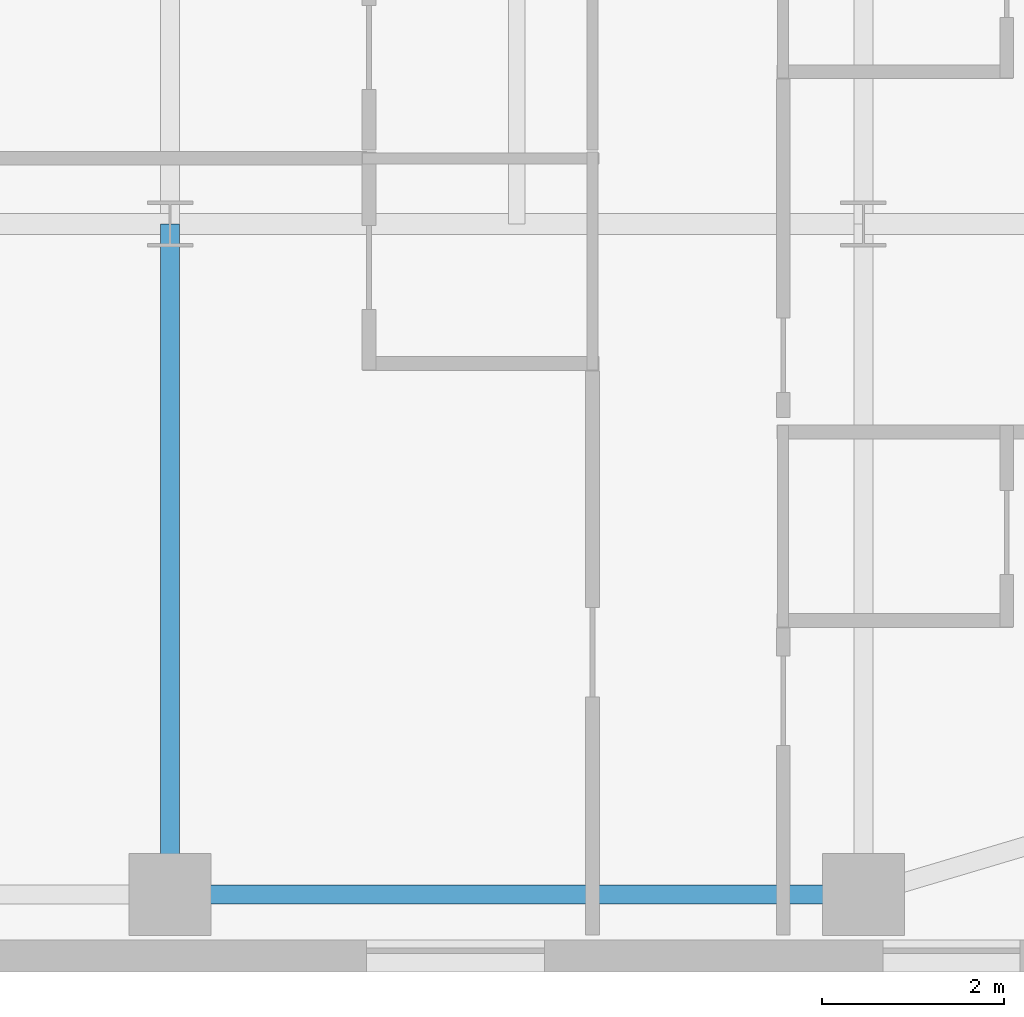
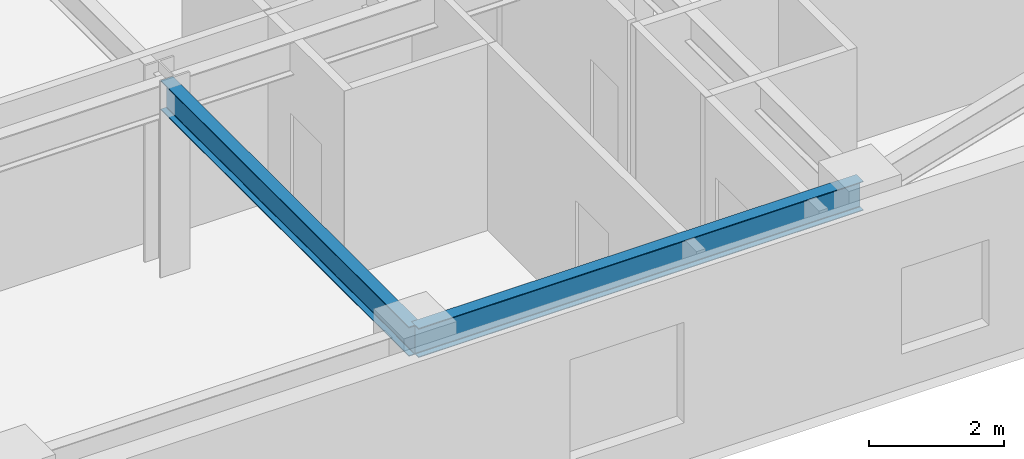
# One storey, part 14 of 30: 2 beams.
"""IFC4 building model written with IfcOpenShell, lengths in metres."""

from ifc_helpers import new_model, si_unit, direction, frame, origin, origin_2d, place, context, subcontext, project, spatial, i_section, extrude, source, transform, mapped, material, material_profile, profile_set, type_object, type_shapes, element, save


model = new_model("IFC4")

# Units and contexts
model_context = context("Model", 3, precision=1e-05, world=origin(), true_north=direction((0.0, 1.0)))
body_context = subcontext(model_context, "Body", "Model", "MODEL_VIEW")
ifc_project = project(units=[si_unit("LENGTHUNIT", "METRE"), si_unit("AREAUNIT", "SQUARE_METRE"), si_unit("VOLUMEUNIT", "CUBIC_METRE"), si_unit("PLANEANGLEUNIT", "RADIAN"), si_unit("MASSUNIT", "GRAM", prefix="KILO")], contexts=[model_context])

# Site, building, storey
site_placement = place(None, origin())
site = spatial("IfcSite", under=ifc_project, at=site_placement, CompositionType="ELEMENT")
building_placement = place(site_placement, origin())
building = spatial("IfcBuilding", under=site, at=building_placement, Name="Tolvann Quenvar Hotel", CompositionType="ELEMENT")
storey_placement = place(building_placement, frame((0.0, 0.0, 100.89990234375)))
storey = spatial("IfcBuildingStorey", under=building, at=storey_placement, Name="L25", CompositionType="ELEMENT", Elevation=100.89990234375)

# Beams
ifc_material = material(Name="Steel Grade 350", Category="steel")
ifc_material_profile_1 = material_profile(ifc_material, i_section(OverallWidth=0.208984375, OverallDepth=0.528076171875, WebThickness=0.009521484375, FlangeThickness=0.01318359375, FilletRadius=0.013916015625, at=origin_2d()), Name="530UB82")
ifc_profile_set_1 = profile_set([ifc_material_profile_1], Name="Steel Grade 350")
beam_type_1 = type_object("IfcBeamType", Name="BM_SPAND_530UB82", PredefinedType="SPANDREL", material=ifc_profile_set_1)
shared_shape_1 = source(origin(), body_context, "Body", "SweptSolid", [
    extrude(i_section(OverallWidth=0.208984375, OverallDepth=0.528076171875, WebThickness=0.009521484375, FlangeThickness=0.01318359375, FilletRadius=0.013916015625, at=origin_2d()), origin(), (0.0, 0.0, 1.0), 7.599853515625),
])
type_shapes(beam_type_1, [shared_shape_1])
beam_1_placement = place(storey_placement, frame((41.800048828125, 0.85009765625, 3.106201171875), z_axis=(1.0, 0.0, 0.0), x_axis=(0.0, 1.0, 0.0)))
element("IfcBeam", 1, at=beam_1_placement, inside=storey, type_object=beam_type_1, Name="BM-L25-EW-2-H2-I2", PredefinedType="SPANDREL", context=body_context, shape_type="MappedRepresentation", body=[
    mapped(shared_shape_1, transform((0.0, 0.0, 0.0), x_axis=(1.0, 0.0, 0.0), y_axis=(0.0, 1.0, 0.0), z_axis=(0.0, 0.0, 1.0), scale=1.0)),
])
ifc_material_profile_2 = material_profile(ifc_material, i_section(OverallWidth=0.208984375, OverallDepth=0.532958984375, WebThickness=0.01025390625, FlangeThickness=0.015625, FilletRadius=0.013916015625, at=origin_2d()), Name="530UB92")
ifc_profile_set_2 = profile_set([ifc_material_profile_2], Name="Steel Grade 350")
beam_type_2 = type_object("IfcBeamType", Name="BM_GIRD_530UB92", PredefinedType="BEAM", material=ifc_profile_set_2)
shared_shape_2 = source(origin(), body_context, "Body", "SweptSolid", [
    extrude(i_section(OverallWidth=0.208984375, OverallDepth=0.532958984375, WebThickness=0.01025390625, FlangeThickness=0.015625, FilletRadius=0.013916015625, at=origin_2d()), origin(), (0.0, 0.0, 1.0), 7.349853515625),
])
type_shapes(beam_type_2, [shared_shape_2])
beam_2_placement = place(storey_placement, frame((41.800048828125, 0.85009765625, 3.103515625), z_axis=(0.0, 1.0, 0.0), x_axis=(-1.0, 0.0, 0.0)))
element("IfcBeam", 2, at=beam_2_placement, inside=storey, type_object=beam_type_2, Name="BM-L25-NS-H2-H3", PredefinedType="BEAM", context=body_context, shape_type="MappedRepresentation", body=[
    mapped(shared_shape_2, transform((0.0, 0.0, 0.0), x_axis=(1.0, 0.0, 0.0), y_axis=(0.0, 1.0, 0.0), z_axis=(0.0, 0.0, 1.0), scale=1.0)),
])

save(model, "model.ifc")
